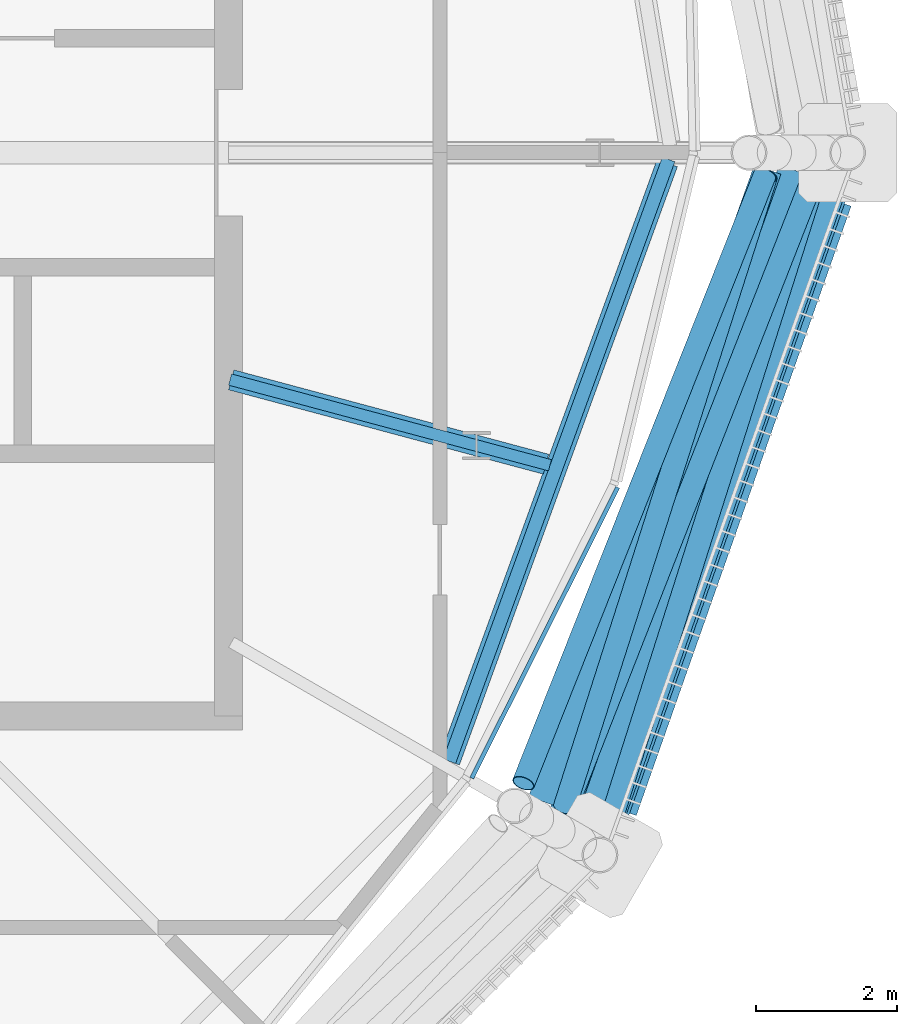
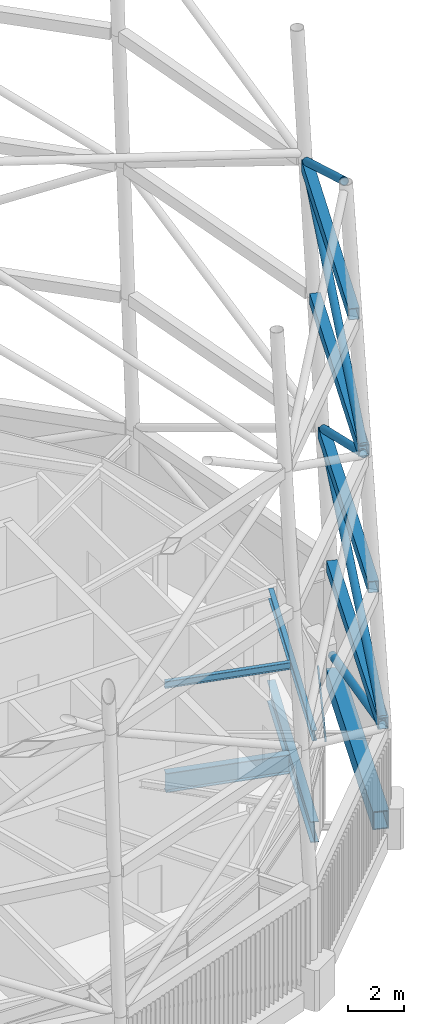
# One storey, part 50 of 71: 9 beams, 6 members, 1 element without a shape of its own.
"""IFC4 building model written with IfcOpenShell, lengths in metres."""

from ifc_helpers import new_model, si_unit, direction, frame, origin, origin_2d, place, context, subcontext, project, spatial, rectangle, hollow_rectangle, hollow_circle, i_section, extrude, material, material_profile, profile_set, type_object, element, aggregate, save


model = new_model("IFC4")

# Units and contexts
model_context = context("Model", 3, precision=1e-05, world=origin(), true_north=direction((0.0, 1.0)))
body_context = subcontext(model_context, "Body", "Model", "MODEL_VIEW")
ifc_project = project(units=[si_unit("LENGTHUNIT", "METRE"), si_unit("AREAUNIT", "SQUARE_METRE"), si_unit("VOLUMEUNIT", "CUBIC_METRE"), si_unit("PLANEANGLEUNIT", "RADIAN"), si_unit("MASSUNIT", "GRAM", prefix="KILO")], contexts=[model_context])

# Site, building, storey
site_placement = place(None, origin())
site = spatial("IfcSite", under=ifc_project, at=site_placement, CompositionType="ELEMENT")
building_placement = place(site_placement, origin())
building = spatial("IfcBuilding", under=site, at=building_placement, Name="Rimbun Link Towers", CompositionType="ELEMENT")
storey_placement = place(building_placement, frame((0.0, 0.0, 267.60009765625)))
storey = spatial("IfcBuildingStorey", under=building, at=storey_placement, Name="L65", CompositionType="ELEMENT", Elevation=267.60009765625)

# Curtain wall, member
ifc_material_1 = material(Name="Aluminium 6063-T6 louvre wall", Category="aluminium")
curtain_wall_type = type_object("IfcCurtainWallType", Name="CW6 plant floor louvre wall", PredefinedType="NOTDEFINED", material=ifc_material_1)
curtain_wall_placement = place(storey_placement, origin())
curtain_wall = element("IfcCurtainWall", 1, at=curtain_wall_placement, inside=storey, type_object=curtain_wall_type, Name="CW6 L65 T2", PredefinedType="NOTDEFINED")
ifc_material_2 = material(Name="Aluminium 6063-T6", Category="aluminium")
ifc_material_profile_1 = material_profile(ifc_material_2, rectangle(XDim=0.06005859375, YDim=0.1201171875, at=origin_2d()), Name="TRANSOM 60X120")
ifc_profile_set_1 = profile_set([ifc_material_profile_1], Name="Aluminium 6063-T6")
member_type_1 = type_object("IfcMemberType", Name="CW6 transom 60X120", PredefinedType="USERDEFINED", material=ifc_profile_set_1)
member_1_placement = place(storey_placement, frame((49.276611328125, -4.75390625, 3.39990234375), z_axis=(-0.448757084924, -0.893653780124, 0.0), x_axis=(0.893653780124, -0.448757084924, 0.0)))
member_1 = element("IfcMember", 2, at=member_1_placement, type_object=member_type_1, Name="CW6 transom", ObjectType="TRANSOM", PredefinedType="USERDEFINED", context=body_context, shape_type="SweptSolid", body=[
    extrude(rectangle(XDim=0.06005859375, YDim=0.1201171875, at=origin_2d()), origin(), (0.0, 0.0, 1.0), 4.61669921875),
])
aggregate(curtain_wall, [member_1])

# Members
ifc_material_3 = material(Name="Steel S355J2H", Category="steel")
ifc_material_profile_2 = material_profile(ifc_material_3, hollow_circle(Radius=0.161865234375, WallThickness=0.011962890625, at=origin_2d()), Name="Crown frame brace CHS 324x12")
ifc_profile_set_2 = profile_set([ifc_material_profile_2], Name="Steel S355J2H")
member_type_2 = type_object("IfcMemberType", Name="Crown frame brace CHS 324x12", PredefinedType="BRACE", material=ifc_profile_set_2)
member_2_placement = place(storey_placement, frame((52.416015625, -0.352783203125, 0.141357421875), z_axis=(-0.311039907345, -0.882089192598, 0.353797728004), x_axis=(0.943086157415, -0.332548492242, 0.0)))
element("IfcMember", 3, at=member_2_placement, inside=storey, type_object=member_type_2, Name="CROWN FRAME brace T2 1-09", PredefinedType="BRACE", context=body_context, shape_type="SweptSolid", body=[
    extrude(hollow_circle(Radius=0.161865234375, WallThickness=0.011962890625, at=origin_2d()), origin(), (0.0, 0.0, 1.0), 10.506103515625),
])
member_3_placement = place(storey_placement, frame((49.128662109375, -9.642333984375, 4.198974609375), z_axis=(0.262551007335, 0.826826473434, 0.497418286129), x_axis=(-0.953102186388, 0.302648678011, 0.0)))
element("IfcMember", 4, at=member_3_placement, inside=storey, type_object=member_type_2, Name="CROWN FRAME brace T2 2-09", PredefinedType="BRACE", context=body_context, shape_type="SweptSolid", body=[
    extrude(hollow_circle(Radius=0.161865234375, WallThickness=0.011962890625, at=origin_2d()), origin(), (0.0, 0.0, 1.0), 11.26171875),
])
member_4_placement = place(storey_placement, frame((52.064208984375, -0.322021484375, 10.20068359375), z_axis=(-0.315700544962, -0.805167749104, 0.502033924863), x_axis=(0.930993441953, -0.36503590377, 0.0)))
element("IfcMember", 5, at=member_4_placement, inside=storey, type_object=member_type_2, Name="CROWN FRAME brace T2 3-09", PredefinedType="BRACE", context=body_context, shape_type="SweptSolid", body=[
    extrude(hollow_circle(Radius=0.161865234375, WallThickness=0.011962890625, at=origin_2d()), origin(), (0.0, 0.0, 1.0), 11.1513671875),
])
member_5_placement = place(storey_placement, frame((48.522216796875, -9.29541015625, 16.2041015625), z_axis=(0.261547717319, 0.819025639605, 0.510675820099), x_axis=(-0.952606455253, 0.304205426334, 0.0)))
element("IfcMember", 6, at=member_5_placement, inside=storey, type_object=member_type_2, Name="CROWN FRAME brace T2 4-09", PredefinedType="BRACE", context=body_context, shape_type="SweptSolid", body=[
    extrude(hollow_circle(Radius=0.161865234375, WallThickness=0.011962890625, at=origin_2d()), origin(), (0.0, 0.0, 1.0), 10.94921875),
])
member_6_placement = place(storey_placement, frame((51.364013671875, -0.318603515625, 22.2060546875), z_axis=(-0.316034088179, -0.796548223391, 0.515396335767), x_axis=(0.929513303893, -0.368788581557, 0.0)))
element("IfcMember", 7, at=member_6_placement, inside=storey, type_object=member_type_2, Name="CROWN FRAME brace T2 5-09", PredefinedType="BRACE", context=body_context, shape_type="SweptSolid", body=[
    extrude(hollow_circle(Radius=0.161865234375, WallThickness=0.011962890625, at=origin_2d()), origin(), (0.0, 0.0, 1.0), 10.841552734375),
])

# Beams
ifc_material_4 = material(Name="Steel S355J2", Category="steel")
ifc_material_profile_3 = material_profile(ifc_material_4, hollow_rectangle(XDim=0.39990234375, YDim=0.5, WallThickness=0.02001953125, at=origin_2d()), Name="Crown frame ring beam BOX 400x500x20")
ifc_profile_set_3 = profile_set([ifc_material_profile_3], Name="Steel S355J2")
beam_type_1 = type_object("IfcBeamType", Name="Crown frame ring beam BOX 400x500x20", PredefinedType="BEAM", material=ifc_profile_set_3)
beam_1_placement = place(storey_placement, frame((49.108154296875, -9.7333984375, 4.0), z_axis=(0.332565125727, 0.943080291996, 0.0), x_axis=(-0.943080291996, 0.332565125727, 0.0)))
element("IfcBeam", 8, at=beam_1_placement, inside=storey, type_object=beam_type_1, Name="CROWN FRAME ring beam T2 1-09", PredefinedType="BEAM", context=body_context, shape_type="SweptSolid", body=[
    extrude(hollow_rectangle(XDim=0.39990234375, YDim=0.5, WallThickness=0.02001953125, at=origin_2d()), origin(), (0.0, 0.0, 1.0), 10.06689453125),
])
beam_2_placement = place(storey_placement, frame((48.805419921875, -9.55859375, 10.0), z_axis=(0.333827485191, 0.942634186804, 0.0), x_axis=(-0.942634186804, 0.333827485191, 0.0)))
element("IfcBeam", 9, at=beam_2_placement, inside=storey, type_object=beam_type_1, Name="CROWN FRAME ring beam T2 2-09", PredefinedType="BEAM", context=body_context, shape_type="SweptSolid", body=[
    extrude(hollow_rectangle(XDim=0.39990234375, YDim=0.5, WallThickness=0.02001953125, at=origin_2d()), origin(), (0.0, 0.0, 1.0), 9.88623046875),
])
beam_3_placement = place(storey_placement, frame((48.502685546875, -9.3837890625, 16.0), z_axis=(0.335128267588, 0.942172513006, 0.0), x_axis=(-0.942172513006, 0.335128267588, 0.0)))
element("IfcBeam", 10, at=beam_3_placement, inside=storey, type_object=beam_type_1, Name="CROWN FRAME ring beam T2 3-09", PredefinedType="BEAM", context=body_context, shape_type="SweptSolid", body=[
    extrude(hollow_rectangle(XDim=0.39990234375, YDim=0.5, WallThickness=0.02001953125, at=origin_2d()), origin(), (0.0, 0.0, 1.0), 9.705810546875),
])
beam_4_placement = place(storey_placement, frame((48.199951171875, -9.208740234375, 22.0), z_axis=(0.33649389431, 0.941685647704, 0.0), x_axis=(-0.941685647704, 0.33649389431, 0.0)))
element("IfcBeam", 11, at=beam_4_placement, inside=storey, type_object=beam_type_1, Name="CROWN FRAME ring beam T2 4-09", PredefinedType="BEAM", context=body_context, shape_type="SweptSolid", body=[
    extrude(hollow_rectangle(XDim=0.39990234375, YDim=0.5, WallThickness=0.02001953125, at=origin_2d()), origin(), (0.0, 0.0, 1.0), 9.52490234375),
])
ifc_material_5 = material(Name="Steel S355J2", Category="steel")
ifc_material_profile_4 = material_profile(ifc_material_5, hollow_rectangle(XDim=0.60009765625, YDim=0.800048828125, WallThickness=0.0400390625, at=origin_2d()), Name="Exoskeleton ring girder BOX 600x800x40")
ifc_profile_set_4 = profile_set([ifc_material_profile_4], Name="Steel S355J2")
beam_type_2 = type_object("IfcBeamType", Name="Exoskeleton ring girder BOX 600x800x40", PredefinedType="BEAM", material=ifc_profile_set_4)
beam_5_placement = place(storey_placement, frame((49.256591796875, -9.312744140625, -0.56005859375), z_axis=(0.332545897249, 0.94308707245, 0.0), x_axis=(-0.94308707245, 0.332545897249, 0.0)))
element("IfcBeam", 12, at=beam_5_placement, inside=storey, type_object=beam_type_2, Name="Exoskeleton ring girder L65 09", PredefinedType="BEAM", context=body_context, shape_type="SweptSolid", body=[
    extrude(hollow_rectangle(XDim=0.60009765625, YDim=0.800048828125, WallThickness=0.0400390625, at=origin_2d()), origin(), (0.0, 0.0, 1.0), 9.1748046875),
])
ifc_material_6 = material(Name="Steel S355J2", Category="steel")
ifc_material_profile_5 = material_profile(ifc_material_6, i_section(OverallWidth=0.1650390625, OverallDepth=0.303466796875, WebThickness=0.006103515625, FlangeThickness=0.01025390625, at=origin_2d()), Name="UB 305x165x40")
ifc_profile_set_5 = profile_set([ifc_material_profile_5], Name="Steel S355J2")
beam_type_3 = type_object("IfcBeamType", Name="UB 305x165x40", PredefinedType="BEAM", material=ifc_profile_set_5)
beam_6_placement = place(storey_placement, frame((43.772216796875, -3.221435546875, 3.648193359375), z_axis=(0.96592487583, -0.258822592239, 0.0), x_axis=(0.258822592239, 0.96592487583, 0.0)))
element("IfcBeam", 13, at=beam_6_placement, inside=storey, type_object=beam_type_3, Name="Radial beam T2 L65 20", PredefinedType="BEAM", context=body_context, shape_type="SweptSolid", body=[
    extrude(i_section(OverallWidth=0.1650390625, OverallDepth=0.303466796875, WebThickness=0.006103515625, FlangeThickness=0.01025390625, at=origin_2d()), origin(), (0.0, 0.0, 1.0), 4.7021484375),
])
ifc_material_7 = material(Name="Steel S355J2", Category="steel")
ifc_material_profile_6 = material_profile(ifc_material_7, i_section(OverallWidth=0.18994140625, OverallDepth=0.453369140625, WebThickness=0.008544921875, FlangeThickness=0.0126953125, at=origin_2d()), Name="UB 457x191x67")
ifc_profile_set_6 = profile_set([ifc_material_profile_6], Name="Steel S355J2")
beam_type_4 = type_object("IfcBeamType", Name="UB 457x191x67", PredefinedType="BEAM", material=ifc_profile_set_6)
beam_7_placement = place(storey_placement, frame((46.885009765625, -8.641845703125, 3.5732421875), z_axis=(0.342318440703, 0.939583995795, 0.0), x_axis=(-0.939583995795, 0.342318440703, 0.0)))
element("IfcBeam", 14, at=beam_7_placement, inside=storey, type_object=beam_type_4, Name="Edge beam T2 L65 19-21", PredefinedType="BEAM", context=body_context, shape_type="SweptSolid", body=[
    extrude(i_section(OverallWidth=0.18994140625, OverallDepth=0.453369140625, WebThickness=0.008544921875, FlangeThickness=0.0126953125, at=origin_2d()), origin(), (0.0, 0.0, 1.0), 9.095458984375),
])
ifc_material_8 = material(Name="Steel S355J2", Category="steel")
ifc_material_profile_7 = material_profile(ifc_material_8, i_section(OverallWidth=0.29248046875, OverallDepth=0.8408203125, WebThickness=0.0126953125, FlangeThickness=0.021728515625, at=origin_2d()), Name="UB 838x292x194")
ifc_profile_set_7 = profile_set([ifc_material_profile_7], Name="Steel S355J2")
beam_type_5 = type_object("IfcBeamType", Name="UB 838x292x194", PredefinedType="BEAM", material=ifc_profile_set_7)
beam_8_placement = place(storey_placement, frame((43.788818359375, -3.225830078125, -0.620361328125), z_axis=(0.96593038836, -0.258802018622, 0.0), x_axis=(0.258802018622, 0.96593038836, 0.0)))
element("IfcBeam", 15, at=beam_8_placement, inside=storey, type_object=beam_type_5, Name="Radial beam T2 L65 20", PredefinedType="BEAM", context=body_context, shape_type="SweptSolid", body=[
    extrude(i_section(OverallWidth=0.29248046875, OverallDepth=0.8408203125, WebThickness=0.0126953125, FlangeThickness=0.021728515625, at=origin_2d()), origin(), (0.0, 0.0, 1.0), 4.627197265625),
])
ifc_material_9 = material(Name="Steel S355J2", Category="steel")
ifc_material_profile_8 = material_profile(ifc_material_9, i_section(OverallWidth=0.305419921875, OverallDepth=0.91845703125, WebThickness=0.017333984375, FlangeThickness=0.02783203125, at=origin_2d()), Name="UB 914x305x253")
ifc_profile_set_8 = profile_set([ifc_material_profile_8], Name="Steel S355J2")
beam_type_6 = type_object("IfcBeamType", Name="UB 914x305x253", PredefinedType="BEAM", material=ifc_profile_set_8)
beam_9_placement = place(storey_placement, frame((46.885009765625, -8.641845703125, -0.6591796875), z_axis=(0.34230674139, 0.939588258121, 0.0), x_axis=(-0.939588258121, 0.34230674139, 0.0)))
element("IfcBeam", 16, at=beam_9_placement, inside=storey, type_object=beam_type_6, Name="Edge beam T2 L65 19-21", PredefinedType="BEAM", context=body_context, shape_type="SweptSolid", body=[
    extrude(i_section(OverallWidth=0.305419921875, OverallDepth=0.91845703125, WebThickness=0.017333984375, FlangeThickness=0.02783203125, at=origin_2d()), origin(), (0.0, 0.0, 1.0), 9.040771484375),
])

save(model, "model.ifc")
